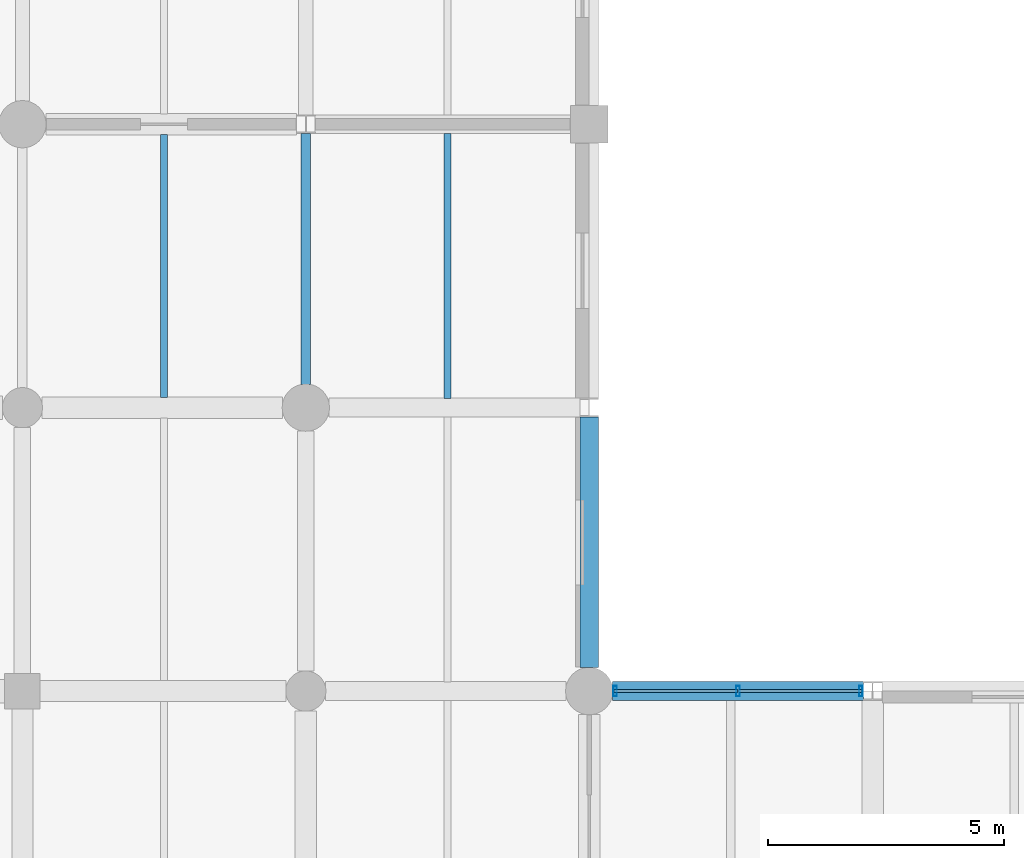
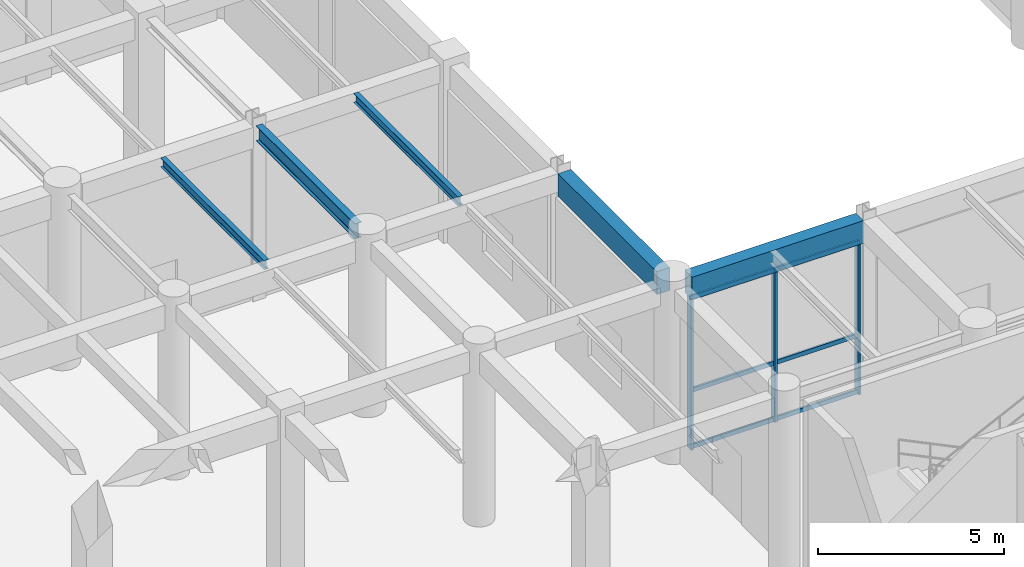
# One storey, part 34 of 106: 9 members, 5 beams, 1 element without a shape of its own.
"""IFC4 building model written with IfcOpenShell, lengths in metres."""

from ifc_helpers import new_model, si_unit, direction, frame, origin, origin_2d, place, context, subcontext, project, spatial, rectangle, hollow_rectangle, i_section, extrude, material, material_profile, profile_set, type_object, element, aggregate, save


model = new_model("IFC4")

# Units and contexts
model_context = context("Model", 3, precision=1e-05, world=origin(), true_north=direction((0.0, 1.0)))
body_context = subcontext(model_context, "Body", "Model", "MODEL_VIEW")
ifc_project = project(units=[si_unit("LENGTHUNIT", "METRE"), si_unit("AREAUNIT", "SQUARE_METRE"), si_unit("VOLUMEUNIT", "CUBIC_METRE"), si_unit("PLANEANGLEUNIT", "RADIAN"), si_unit("MASSUNIT", "GRAM", prefix="KILO"), si_unit("THERMODYNAMICTEMPERATUREUNIT", "KELVIN"), si_unit("POWERUNIT", "WATT")], contexts=[model_context])

# Site, building, storey
site_placement = place(None, origin())
site = spatial("IfcSite", under=ifc_project, at=site_placement, CompositionType="ELEMENT")
building_placement = place(site_placement, origin())
building = spatial("IfcBuilding", under=site, at=building_placement, Name="Phaisarnlok Congress Hotel", CompositionType="ELEMENT")
storey_placement = place(building_placement, origin())
storey = spatial("IfcBuildingStorey", under=building, at=storey_placement, Name="L00", CompositionType="ELEMENT", Elevation=0.0)

# Beam
ifc_material_1 = material(Name="Steel S355", Category="steel")
ifc_material_profile_1 = material_profile(ifc_material_1, i_section(OverallWidth=0.199951171875, OverallDepth=0.5, WebThickness=0.01025390625, FlangeThickness=0.01611328125, FilletRadius=0.02099609375, at=origin_2d()), Name="IPE 500")
ifc_profile_set_1 = profile_set([ifc_material_profile_1], Name="Steel S355")
beam_type_1 = type_object("IfcBeamType", Name="BM-STL-IPE500", PredefinedType="BEAM", material=ifc_profile_set_1)
beam_1_placement = place(storey_placement, frame((36.0, 102.4951171875, 5.489990234375), z_axis=(0.0, 1.0, 0.0), x_axis=(-1.0, 0.0, 0.0)))
element("IfcBeam", 1, at=beam_1_placement, inside=storey, type_object=beam_type_1, Name="Beam SB-02", PredefinedType="BEAM", context=body_context, shape_type="SweptSolid", body=[
    extrude(i_section(OverallWidth=0.199951171875, OverallDepth=0.5, WebThickness=0.01025390625, FlangeThickness=0.01611328125, FilletRadius=0.02099609375, at=origin_2d()), origin(), (0.0, 0.0, 1.0), 5.310302734375),
])

# Curtain wall, members
ifc_material_2 = material(Name="Thermally Broken Unitised Aluminium & Low-E Glazing", Category="aluminium")
curtain_wall_type = type_object("IfcCurtainWallType", Name="CW-UNIT-05", PredefinedType="NOTDEFINED", material=ifc_material_2)
curtain_wall_placement = place(storey_placement, origin())
curtain_wall = element("IfcCurtainWall", 2, at=curtain_wall_placement, inside=storey, type_object=curtain_wall_type, Name="Unitised curtain wall CW-05 (L00)", PredefinedType="NOTDEFINED")
ifc_material_3 = material(Name="Anodised Aluminium Alloy 6063-T6", Category="aluminium")
ifc_material_profile_2 = material_profile(ifc_material_3, hollow_rectangle(XDim=0.074951171875, YDim=0.219970703125, WallThickness=0.0048828125, at=origin_2d()), Name="ALU-M 75x220x5")
ifc_profile_set_2 = profile_set([ifc_material_profile_2], Name="Anodised Aluminium Alloy 6063-T6")
member_type_1 = type_object("IfcMemberType", Name="CWM-220", PredefinedType="MULLION", material=ifc_profile_set_2)
member_1_placement = place(storey_placement, frame((47.74951171875, 96.0, 0.0), z_axis=(0.0, 0.0, 1.0), x_axis=(-1.0, 0.0, 0.0)))
member_1 = element("IfcMember", 3, at=member_1_placement, type_object=member_type_1, Name="Curtain wall mullion CWM-02", PredefinedType="MULLION", context=body_context, shape_type="SweptSolid", body=[
    extrude(hollow_rectangle(XDim=0.074951171875, YDim=0.219970703125, WallThickness=0.0048828125, at=origin_2d()), origin(), (0.0, 0.0, 1.0), 4.989990234375),
])
member_2_placement = place(storey_placement, frame((45.149658203125, 96.0, 0.0), z_axis=(0.0, 0.0, 1.0), x_axis=(-1.0, 0.0, 0.0)))
member_2 = element("IfcMember", 4, at=member_2_placement, type_object=member_type_1, Name="Curtain wall mullion CWM-02", PredefinedType="MULLION", context=body_context, shape_type="SweptSolid", body=[
    extrude(hollow_rectangle(XDim=0.074951171875, YDim=0.219970703125, WallThickness=0.0048828125, at=origin_2d()), origin(), (0.0, 0.0, 1.0), 4.989990234375),
])
member_3_placement = place(storey_placement, frame((42.550048828125, 96.0, 0.0), z_axis=(0.0, 0.0, 1.0), x_axis=(-1.0, 0.0, 0.0)))
member_3 = element("IfcMember", 5, at=member_3_placement, type_object=member_type_1, Name="Curtain wall mullion CWM-02", PredefinedType="MULLION", context=body_context, shape_type="SweptSolid", body=[
    extrude(hollow_rectangle(XDim=0.074951171875, YDim=0.219970703125, WallThickness=0.0048828125, at=origin_2d()), origin(), (0.0, 0.0, 1.0), 4.989990234375),
])
ifc_material_profile_3 = material_profile(ifc_material_3, hollow_rectangle(XDim=0.06494140625, YDim=0.139892578125, WallThickness=0.00390625, at=origin_2d()), Name="ALU-T 65x140x4")
ifc_profile_set_3 = profile_set([ifc_material_profile_3], Name="Anodised Aluminium Alloy 6063-T6")
member_type_2 = type_object("IfcMemberType", Name="CWT-150", PredefinedType="USERDEFINED", material=ifc_profile_set_3)
member_4_placement = place(storey_placement, frame((47.7744140625, 96.0, 0.050048828125), z_axis=(-1.0, 0.0, 0.0), x_axis=(0.0, -1.0, 0.0)))
member_4 = element("IfcMember", 6, at=member_4_placement, type_object=member_type_2, Name="Curtain wall transom CWT-01", ObjectType="TRANSOM", PredefinedType="USERDEFINED", context=body_context, shape_type="SweptSolid", body=[
    extrude(hollow_rectangle(XDim=0.06494140625, YDim=0.139892578125, WallThickness=0.00390625, at=origin_2d()), origin(), (0.0, 0.0, 1.0), 2.609619140625),
])
member_5_placement = place(storey_placement, frame((47.7744140625, 96.0, 1.896240234375), z_axis=(-1.0, 0.0, 0.0), x_axis=(0.0, -1.0, 0.0)))
member_5 = element("IfcMember", 7, at=member_5_placement, type_object=member_type_2, Name="Curtain wall transom CWT-01", ObjectType="TRANSOM", PredefinedType="USERDEFINED", context=body_context, shape_type="SweptSolid", body=[
    extrude(hollow_rectangle(XDim=0.06494140625, YDim=0.139892578125, WallThickness=0.00390625, at=origin_2d()), origin(), (0.0, 0.0, 1.0), 2.609619140625),
])
member_6_placement = place(storey_placement, frame((47.7744140625, 96.0, 4.93994140625), z_axis=(-1.0, 0.0, 0.0), x_axis=(0.0, -1.0, 0.0)))
member_6 = element("IfcMember", 8, at=member_6_placement, type_object=member_type_2, Name="Curtain wall transom CWT-01", ObjectType="TRANSOM", PredefinedType="USERDEFINED", context=body_context, shape_type="SweptSolid", body=[
    extrude(hollow_rectangle(XDim=0.06494140625, YDim=0.139892578125, WallThickness=0.00390625, at=origin_2d()), origin(), (0.0, 0.0, 1.0), 2.609619140625),
])
member_7_placement = place(storey_placement, frame((45.134765625, 96.0, 0.050048828125), z_axis=(-1.0, 0.0, 0.0), x_axis=(0.0, -1.0, 0.0)))
member_7 = element("IfcMember", 9, at=member_7_placement, type_object=member_type_2, Name="Curtain wall transom CWT-01", ObjectType="TRANSOM", PredefinedType="USERDEFINED", context=body_context, shape_type="SweptSolid", body=[
    extrude(hollow_rectangle(XDim=0.06494140625, YDim=0.139892578125, WallThickness=0.00390625, at=origin_2d()), origin(), (0.0, 0.0, 1.0), 2.60986328125),
])
member_8_placement = place(storey_placement, frame((45.134765625, 96.0, 1.896240234375), z_axis=(-1.0, 0.0, 0.0), x_axis=(0.0, -1.0, 0.0)))
member_8 = element("IfcMember", 10, at=member_8_placement, type_object=member_type_2, Name="Curtain wall transom CWT-01", ObjectType="TRANSOM", PredefinedType="USERDEFINED", context=body_context, shape_type="SweptSolid", body=[
    extrude(hollow_rectangle(XDim=0.06494140625, YDim=0.139892578125, WallThickness=0.00390625, at=origin_2d()), origin(), (0.0, 0.0, 1.0), 2.60986328125),
])
member_9_placement = place(storey_placement, frame((45.134765625, 96.0, 4.93994140625), z_axis=(-1.0, 0.0, 0.0), x_axis=(0.0, -1.0, 0.0)))
member_9 = element("IfcMember", 11, at=member_9_placement, type_object=member_type_2, Name="Curtain wall transom CWT-01", ObjectType="TRANSOM", PredefinedType="USERDEFINED", context=body_context, shape_type="SweptSolid", body=[
    extrude(hollow_rectangle(XDim=0.06494140625, YDim=0.139892578125, WallThickness=0.00390625, at=origin_2d()), origin(), (0.0, 0.0, 1.0), 2.60986328125),
])
aggregate(curtain_wall, [member_1, member_2, member_3, member_4, member_5, member_6, member_7, member_8, member_9])

# Beams
ifc_material_profile_4 = material_profile(ifc_material_1, i_section(OverallWidth=0.14990234375, OverallDepth=0.300048828125, WebThickness=0.007080078125, FlangeThickness=0.0107421875, FilletRadius=0.014892578125, at=origin_2d()), Name="IPE 300")
ifc_profile_set_4 = profile_set([ifc_material_profile_4], Name="Steel S355")
beam_type_2 = type_object("IfcBeamType", Name="JS-STL-IPE300", PredefinedType="JOIST", material=ifc_profile_set_4)
beam_2_placement = place(storey_placement, frame((33.0, 102.219970703125, 5.590087890625), z_axis=(0.0, 1.0, 0.0), x_axis=(-1.0, 0.0, 0.0)))
element("IfcBeam", 12, at=beam_2_placement, inside=storey, type_object=beam_type_2, Name="Secondary floor joist J-03", PredefinedType="JOIST", context=body_context, shape_type="SweptSolid", body=[
    extrude(i_section(OverallWidth=0.14990234375, OverallDepth=0.300048828125, WebThickness=0.007080078125, FlangeThickness=0.0107421875, FilletRadius=0.014892578125, at=origin_2d()), origin(), (0.0, 0.0, 1.0), 5.56005859375),
])
beam_3_placement = place(storey_placement, frame((39.0, 102.195068359375, 5.590087890625), z_axis=(0.0, 1.0, 0.0), x_axis=(-1.0, 0.0, 0.0)))
element("IfcBeam", 13, at=beam_3_placement, inside=storey, type_object=beam_type_2, Name="Secondary floor joist J-03", PredefinedType="JOIST", context=body_context, shape_type="SweptSolid", body=[
    extrude(i_section(OverallWidth=0.14990234375, OverallDepth=0.300048828125, WebThickness=0.007080078125, FlangeThickness=0.0107421875, FilletRadius=0.014892578125, at=origin_2d()), origin(), (0.0, 0.0, 1.0), 5.60986328125),
])
ifc_material_4 = material(Name="Concrete C40/50", Category="concrete")
ifc_material_profile_5 = material_profile(ifc_material_4, rectangle(XDim=0.39990234375, YDim=0.75, at=origin_2d()), Name="RC 400x750")
ifc_profile_set_5 = profile_set([ifc_material_profile_5], Name="Concrete C40/50")
beam_type_3 = type_object("IfcBeamType", Name="SP-RC-400x750", PredefinedType="SPANDREL", material=ifc_profile_set_5)
beam_4_placement = place(storey_placement, frame((42.4951171875, 96.0, 5.364990234375), z_axis=(1.0, 0.0, 0.0), x_axis=(0.0, 1.0, 0.0)))
element("IfcBeam", 14, at=beam_4_placement, inside=storey, type_object=beam_type_3, Name="Beam SP-02", PredefinedType="SPANDREL", context=body_context, shape_type="SweptSolid", body=[
    extrude(rectangle(XDim=0.39990234375, YDim=0.75, at=origin_2d()), origin(), (0.0, 0.0, 1.0), 5.309326171875),
])
beam_5_placement = place(storey_placement, frame((42.0, 96.4951171875, 5.364990234375), z_axis=(0.0, 1.0, 0.0), x_axis=(-1.0, 0.0, 0.0)))
element("IfcBeam", 15, at=beam_5_placement, inside=storey, type_object=beam_type_3, Name="Beam SP-02", PredefinedType="SPANDREL", context=body_context, shape_type="SweptSolid", body=[
    extrude(rectangle(XDim=0.39990234375, YDim=0.75, at=origin_2d()), origin(), (0.0, 0.0, 1.0), 5.310302734375),
])

save(model, "model.ifc")
